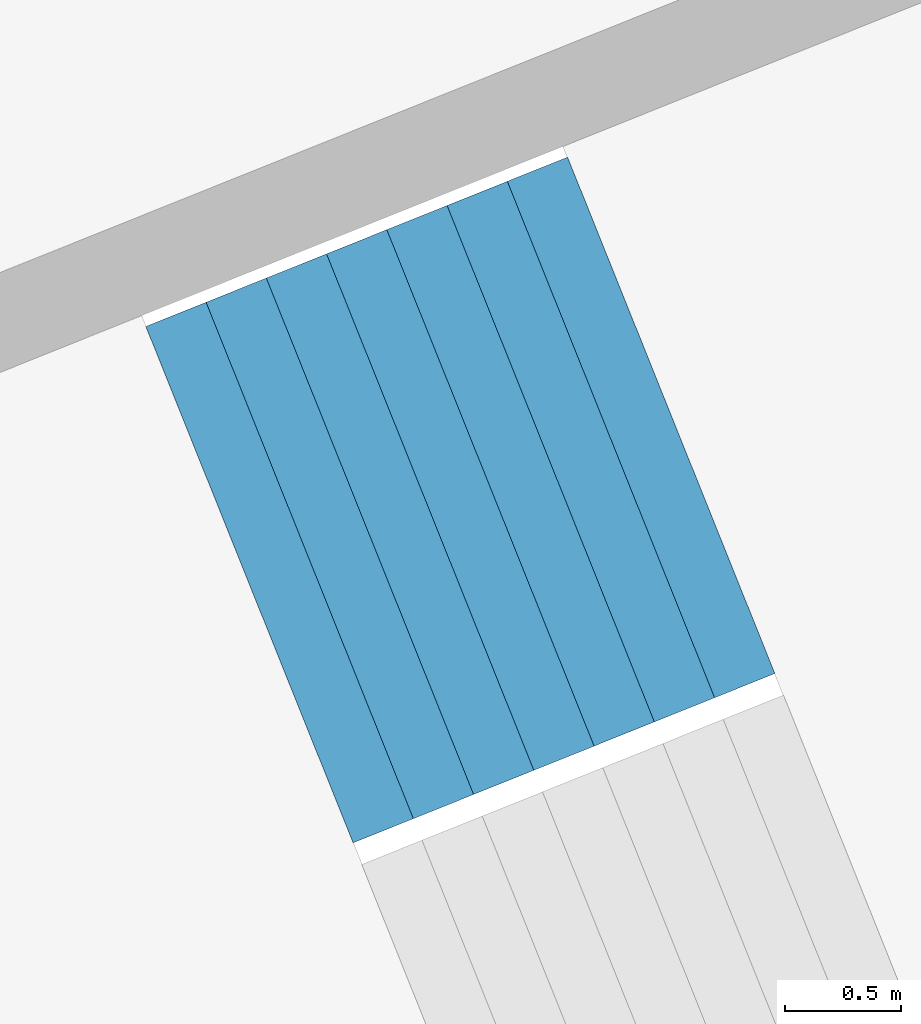
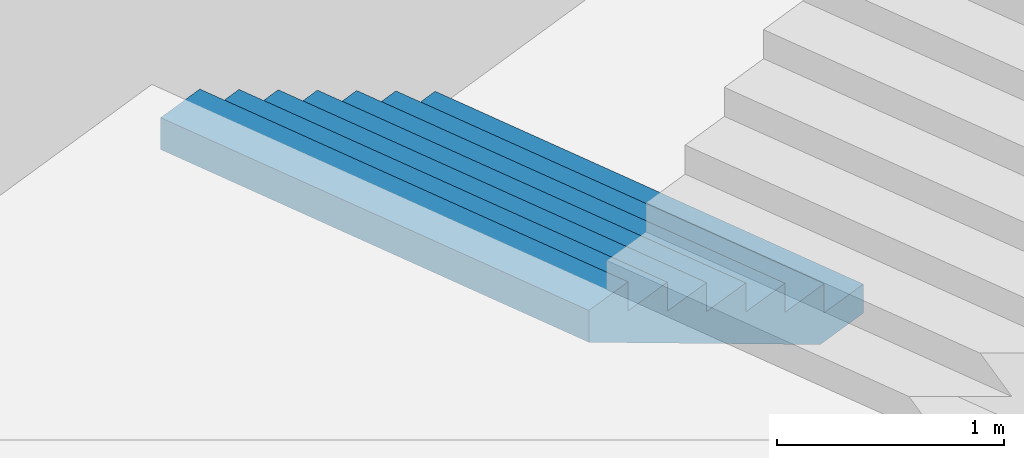
# One storey, part 21 of 73: 1 stair flight, 1 element without a shape of its own.
"""IFC4 building model written with IfcOpenShell, lengths in metres."""

from ifc_helpers import new_model, si_unit, direction, frame, origin, place, context, subcontext, project, spatial, triangles, material, type_object, element, aggregate, save


model = new_model("IFC4")

# Units and contexts
model_context = context("Model", 3, precision=1e-05, world=origin(), true_north=direction((0.0, 1.0)))
body_context = subcontext(model_context, "Body", "Model", "MODEL_VIEW")
ifc_project = project(units=[si_unit("LENGTHUNIT", "METRE"), si_unit("AREAUNIT", "SQUARE_METRE"), si_unit("VOLUMEUNIT", "CUBIC_METRE"), si_unit("PLANEANGLEUNIT", "RADIAN"), si_unit("MASSUNIT", "GRAM", prefix="KILO")], contexts=[model_context])

# Site, building, storey
site_placement = place(None, origin())
site = spatial("IfcSite", under=ifc_project, at=site_placement, CompositionType="ELEMENT")
building_placement = place(site_placement, origin())
building = spatial("IfcBuilding", under=site, at=building_placement, Name="Lantaw Convention Tower", CompositionType="ELEMENT")
storey_placement = place(building_placement, frame((0.0, 0.0, 27.0)))
storey = spatial("IfcBuildingStorey", under=building, at=storey_placement, Name="L04", CompositionType="ELEMENT", Elevation=27.0)

# Stair, stair flight
ifc_material = material(Name="Concrete C35/45", Category="concrete")
stair_type = type_object("IfcStairType", Name="Exit stair 2400 riser 156.25 in 4 flights", PredefinedType="HALF_TURN_STAIR", material=ifc_material)
stair_placement = place(storey_placement, origin())
stair = element("IfcStair", 1, at=stair_placement, inside=storey, type_object=stair_type, Name="Podium exit stair P11 L04", PredefinedType="HALF_TURN_STAIR")
stair_flight_type = type_object("IfcStairFlightType", Name="Stair flight 2400 riser 156.25", PredefinedType="STRAIGHT", material=ifc_material)
stair_flight_placement = place(storey_placement, frame((-30.017578125, -10.703369140625, 0.0), z_axis=(0.0, 0.0, 1.0), x_axis=(-0.928015168305, -0.372542410198, 0.0)))
stair_flight = element("IfcStairFlight", 2, at=stair_flight_placement, type_object=stair_flight_type, Name="P11 flight 1", NumberOfRisers=8, NumberOfTreads=7, PredefinedType="STRAIGHT", RiserHeight=0.15625, TreadLength=0.28, context=body_context, shape_type="Tessellation", body=[
    triangles([(0.0, 1.199951171875, 0.0), (0.0, 1.199951171875, 0.15625), (0.28, 1.199951171875, 0.0), (0.28, 1.199951171875, 0.15625), (0.28, 1.199951171875, 0.3125), (0.3076200632058044, 1.199951171875, 0.0), (0.3076200632058044, 1.199951171875, 0.3125), (0.56, 1.199951171875, 0.14083701830033238), (0.56, 1.199951171875, 0.3125), (0.56, 1.199951171875, 0.46875), (0.8400000000000001, 1.199951171875, 0.29708701830033235), (0.8400000000000001, 1.199951171875, 0.46875), (0.8400000000000001, 1.199951171875, 0.625), (1.12, 1.199951171875, 0.45333701830033235), (1.12, 1.199951171875, 0.625), (1.12, 1.199951171875, 0.78125), (1.4000000000000001, 1.199951171875, 0.6095870183003324), (1.4000000000000001, 1.199951171875, 0.78125), (1.4000000000000001, 1.199951171875, 0.9375), (1.6800000000000002, 1.199951171875, 0.7658370183003324), (1.6800000000000002, 1.199951171875, 0.9375), (1.6800000000000002, 1.199951171875, 1.09375), (1.9600000000000002, 1.199951171875, 0.9220870183003324), (1.9600000000000002, 1.199951171875, 1.09375), (0.0, -1.199951171875, 0.0), (0.0, -1.199951171875, 0.15625), (0.28, -1.199951171875, 0.0), (0.28, -1.199951171875, 0.15625), (0.28, -1.199951171875, 0.3125), (0.3076200632058044, -1.199951171875, 0.0), (0.3076200632058044, -1.199951171875, 0.3125), (0.56, -1.199951171875, 0.14083701830033238), (0.56, -1.199951171875, 0.3125), (0.56, -1.199951171875, 0.46875), (0.8400000000000001, -1.199951171875, 0.29708701830033235), (0.8400000000000001, -1.199951171875, 0.46875), (0.8400000000000001, -1.199951171875, 0.625), (1.12, -1.199951171875, 0.45333701830033235), (1.12, -1.199951171875, 0.625), (1.12, -1.199951171875, 0.78125), (1.4000000000000001, -1.199951171875, 0.6095870183003324), (1.4000000000000001, -1.199951171875, 0.78125), (1.4000000000000001, -1.199951171875, 0.9375), (1.6800000000000002, -1.199951171875, 0.7658370183003324), (1.6800000000000002, -1.199951171875, 0.9375), (1.6800000000000002, -1.199951171875, 1.09375), (1.9600000000000002, -1.199951171875, 0.9220870183003324), (1.9600000000000002, -1.199951171875, 1.09375), (0.0, 0.239990234375, 0.15625), (0.0, 0.239990234375, 0.0), (0.0, 0.1919921875, 0.15625), (0.0, 0.1919921875, 0.0), (0.0, 0.143994140625, 0.15625), (0.0, 0.143994140625, 0.0), (0.0, 0.09599609375, 0.15625), (0.0, 0.09599609375, 0.0), (0.0, 0.047998046875, 0.15625), (0.0, 0.047998046875, 0.0), (0.0, 0.0, 0.15625), (0.0, 0.0, 0.0), (0.0, -0.047998046875, 0.15625), (0.0, -0.047998046875, 0.0), (0.0, -0.09599609375, 0.15625), (0.0, -0.09599609375, 0.0), (0.0, -0.143994140625, 0.15625), (0.0, -0.143994140625, 0.0), (0.0, -0.1919921875, 0.15625), (0.0, -0.1919921875, 0.0), (0.0, -0.239990234375, 0.15625), (0.0, -0.239990234375, 0.0), (0.28, 0.239990234375, 0.3125), (0.28, 0.239990234375, 0.15625), (0.28, 0.1919921875, 0.3125), (0.28, 0.1919921875, 0.15625), (0.28, 0.143994140625, 0.3125), (0.28, 0.143994140625, 0.15625), (0.28, 0.09599609375, 0.3125), (0.28, 0.09599609375, 0.15625), (0.28, 0.047998046875, 0.3125), (0.28, 0.047998046875, 0.15625), (0.28, 0.0, 0.3125), (0.28, 0.0, 0.15625), (0.28, -0.047998046875, 0.3125), (0.28, -0.047998046875, 0.15625), (0.28, -0.09599609375, 0.3125), (0.28, -0.09599609375, 0.15625), (0.28, -0.143994140625, 0.3125), (0.28, -0.143994140625, 0.15625), (0.28, -0.1919921875, 0.3125), (0.28, -0.1919921875, 0.15625), (0.28, -0.239990234375, 0.3125), (0.28, -0.239990234375, 0.15625), (0.56, 0.239990234375, 0.46875), (0.56, 0.239990234375, 0.3125), (0.56, 0.1919921875, 0.46875), (0.56, 0.1919921875, 0.3125), (0.56, 0.143994140625, 0.46875), (0.56, 0.143994140625, 0.3125), (0.56, 0.09599609375, 0.46875), (0.56, 0.09599609375, 0.3125), (0.56, 0.047998046875, 0.46875), (0.56, 0.047998046875, 0.3125), (0.56, 0.0, 0.46875), (0.56, 0.0, 0.3125), (0.56, -0.047998046875, 0.46875), (0.56, -0.047998046875, 0.3125), (0.56, -0.09599609375, 0.46875), (0.56, -0.09599609375, 0.3125), (0.56, -0.143994140625, 0.46875), (0.56, -0.143994140625, 0.3125), (0.56, -0.1919921875, 0.46875), (0.56, -0.1919921875, 0.3125), (0.56, -0.239990234375, 0.46875), (0.56, -0.239990234375, 0.3125), (0.8400000000000001, 0.239990234375, 0.625), (0.8400000000000001, 0.239990234375, 0.46875), (0.8400000000000001, 0.1919921875, 0.625), (0.8400000000000001, 0.1919921875, 0.46875), (0.8400000000000001, 0.143994140625, 0.625), (0.8400000000000001, 0.143994140625, 0.46875), (0.8400000000000001, 0.09599609375, 0.625), (0.8400000000000001, 0.09599609375, 0.46875), (0.8400000000000001, 0.047998046875, 0.625), (0.8400000000000001, 0.047998046875, 0.46875), (0.8400000000000001, 0.0, 0.625), (0.8400000000000001, 0.0, 0.46875), (0.8400000000000001, -0.047998046875, 0.625), (0.8400000000000001, -0.047998046875, 0.46875), (0.8400000000000001, -0.09599609375, 0.625), (0.8400000000000001, -0.09599609375, 0.46875), (0.8400000000000001, -0.143994140625, 0.625), (0.8400000000000001, -0.143994140625, 0.46875), (0.8400000000000001, -0.1919921875, 0.625), (0.8400000000000001, -0.1919921875, 0.46875), (0.8400000000000001, -0.239990234375, 0.625), (0.8400000000000001, -0.239990234375, 0.46875), (1.12, 0.239990234375, 0.78125), (1.12, 0.239990234375, 0.625), (1.12, 0.1919921875, 0.78125), (1.12, 0.1919921875, 0.625), (1.12, 0.143994140625, 0.78125), (1.12, 0.143994140625, 0.625), (1.12, 0.09599609375, 0.78125), (1.12, 0.09599609375, 0.625), (1.12, 0.047998046875, 0.78125), (1.12, 0.047998046875, 0.625), (1.12, 0.0, 0.78125), (1.12, 0.0, 0.625), (1.12, -0.047998046875, 0.78125), (1.12, -0.047998046875, 0.625), (1.12, -0.09599609375, 0.78125), (1.12, -0.09599609375, 0.625), (1.12, -0.143994140625, 0.78125), (1.12, -0.143994140625, 0.625), (1.12, -0.1919921875, 0.78125), (1.12, -0.1919921875, 0.625), (1.12, -0.239990234375, 0.78125), (1.12, -0.239990234375, 0.625), (1.4000000000000001, 0.239990234375, 0.9375), (1.4000000000000001, 0.239990234375, 0.78125), (1.4000000000000001, 0.1919921875, 0.9375), (1.4000000000000001, 0.1919921875, 0.78125), (1.4000000000000001, 0.143994140625, 0.9375), (1.4000000000000001, 0.143994140625, 0.78125), (1.4000000000000001, 0.09599609375, 0.9375), (1.4000000000000001, 0.09599609375, 0.78125), (1.4000000000000001, 0.047998046875, 0.9375), (1.4000000000000001, 0.047998046875, 0.78125), (1.4000000000000001, 0.0, 0.9375), (1.4000000000000001, 0.0, 0.78125), (1.4000000000000001, -0.047998046875, 0.9375), (1.4000000000000001, -0.047998046875, 0.78125), (1.4000000000000001, -0.09599609375, 0.9375), (1.4000000000000001, -0.09599609375, 0.78125), (1.4000000000000001, -0.143994140625, 0.9375), (1.4000000000000001, -0.143994140625, 0.78125), (1.4000000000000001, -0.1919921875, 0.9375), (1.4000000000000001, -0.1919921875, 0.78125), (1.4000000000000001, -0.239990234375, 0.9375), (1.4000000000000001, -0.239990234375, 0.78125), (1.6800000000000002, 0.239990234375, 1.09375), (1.6800000000000002, 0.239990234375, 0.9375), (1.6800000000000002, 0.1919921875, 1.09375), (1.6800000000000002, 0.1919921875, 0.9375), (1.6800000000000002, 0.143994140625, 1.09375), (1.6800000000000002, 0.143994140625, 0.9375), (1.6800000000000002, 0.09599609375, 1.09375), (1.6800000000000002, 0.09599609375, 0.9375), (1.6800000000000002, 0.047998046875, 1.09375), (1.6800000000000002, 0.047998046875, 0.9375), (1.6800000000000002, 0.0, 1.09375), (1.6800000000000002, 0.0, 0.9375), (1.6800000000000002, -0.047998046875, 1.09375), (1.6800000000000002, -0.047998046875, 0.9375), (1.6800000000000002, -0.09599609375, 1.09375), (1.6800000000000002, -0.09599609375, 0.9375), (1.6800000000000002, -0.143994140625, 1.09375), (1.6800000000000002, -0.143994140625, 0.9375), (1.6800000000000002, -0.1919921875, 1.09375), (1.6800000000000002, -0.1919921875, 0.9375), (1.6800000000000002, -0.239990234375, 1.09375), (1.6800000000000002, -0.239990234375, 0.9375), (0.3076200632058044, 0.239990234375, 0.3125), (0.3076200632058044, 0.1919921875, 0.3125), (0.3076200632058044, 0.143994140625, 0.3125), (0.3076200632058044, 0.09599609375, 0.3125), (0.3076200632058044, 0.047998046875, 0.3125), (0.3076200632058044, 0.0, 0.3125), (0.3076200632058044, -0.047998046875, 0.3125), (0.3076200632058044, -0.09599609375, 0.3125), (0.3076200632058044, -0.143994140625, 0.3125), (0.3076200632058044, -0.1919921875, 0.3125), (0.3076200632058044, -0.239990234375, 0.3125), (1.9600000000000002, 0.239990234375, 1.09375), (1.9600000000000002, 0.1919921875, 1.09375), (1.9600000000000002, 0.143994140625, 1.09375), (1.9600000000000002, 0.09599609375, 1.09375), (1.9600000000000002, 0.047998046875, 1.09375), (1.9600000000000002, 0.0, 1.09375), (1.9600000000000002, -0.047998046875, 1.09375), (1.9600000000000002, -0.09599609375, 1.09375), (1.9600000000000002, -0.143994140625, 1.09375), (1.9600000000000002, -0.1919921875, 1.09375), (1.9600000000000002, -0.239990234375, 1.09375), (1.9600000000000002, 0.239990234375, 0.9220870183003324), (1.9600000000000002, 0.1919921875, 0.9220870183003324), (1.9600000000000002, 0.143994140625, 0.9220870183003324), (1.9600000000000002, 0.09599609375, 0.9220870183003324), (1.9600000000000002, 0.047998046875, 0.9220870183003324), (1.9600000000000002, 0.0, 0.9220870183003324), (1.9600000000000002, -0.047998046875, 0.9220870183003324), (1.9600000000000002, -0.09599609375, 0.9220870183003324), (1.9600000000000002, -0.143994140625, 0.9220870183003324), (1.9600000000000002, -0.1919921875, 0.9220870183003324), (1.9600000000000002, -0.239990234375, 0.9220870183003324), (1.6800000000000002, 0.239990234375, 0.7658370183003324), (1.6800000000000002, 0.1919921875, 0.7658370183003324), (1.6800000000000002, 0.143994140625, 0.7658370183003324), (1.6800000000000002, 0.09599609375, 0.7658370183003324), (1.6800000000000002, 0.047998046875, 0.7658370183003324), (1.6800000000000002, 0.0, 0.7658370183003324), (1.6800000000000002, -0.047998046875, 0.7658370183003324), (1.6800000000000002, -0.09599609375, 0.7658370183003324), (1.6800000000000002, -0.143994140625, 0.7658370183003324), (1.6800000000000002, -0.1919921875, 0.7658370183003324), (1.6800000000000002, -0.239990234375, 0.7658370183003324), (1.4000000000000001, 0.239990234375, 0.6095870183003324), (1.4000000000000001, 0.1919921875, 0.6095870183003324), (1.4000000000000001, 0.143994140625, 0.6095870183003324), (1.4000000000000001, 0.09599609375, 0.6095870183003324), (1.4000000000000001, 0.047998046875, 0.6095870183003324), (1.4000000000000001, 0.0, 0.6095870183003324), (1.4000000000000001, -0.047998046875, 0.6095870183003324), (1.4000000000000001, -0.09599609375, 0.6095870183003324), (1.4000000000000001, -0.143994140625, 0.6095870183003324), (1.4000000000000001, -0.1919921875, 0.6095870183003324), (1.4000000000000001, -0.239990234375, 0.6095870183003324), (1.12, 0.239990234375, 0.45333701830033235), (1.12, 0.1919921875, 0.45333701830033235), (1.12, 0.143994140625, 0.45333701830033235), (1.12, 0.09599609375, 0.45333701830033235), (1.12, 0.047998046875, 0.45333701830033235), (1.12, 0.0, 0.45333701830033235), (1.12, -0.047998046875, 0.45333701830033235), (1.12, -0.09599609375, 0.45333701830033235), (1.12, -0.143994140625, 0.45333701830033235), (1.12, -0.1919921875, 0.45333701830033235), (1.12, -0.239990234375, 0.45333701830033235), (0.8400000000000001, 0.239990234375, 0.29708701830033235), (0.8400000000000001, 0.1919921875, 0.29708701830033235), (0.8400000000000001, 0.143994140625, 0.29708701830033235), (0.8400000000000001, 0.09599609375, 0.29708701830033235), (0.8400000000000001, 0.047998046875, 0.29708701830033235), (0.8400000000000001, 0.0, 0.29708701830033235), (0.8400000000000001, -0.047998046875, 0.29708701830033235), (0.8400000000000001, -0.09599609375, 0.29708701830033235), (0.8400000000000001, -0.143994140625, 0.29708701830033235), (0.8400000000000001, -0.1919921875, 0.29708701830033235), (0.8400000000000001, -0.239990234375, 0.29708701830033235), (0.56, 0.239990234375, 0.14083701830033238), (0.56, 0.1919921875, 0.14083701830033238), (0.56, 0.143994140625, 0.14083701830033238), (0.56, 0.09599609375, 0.14083701830033238), (0.56, 0.047998046875, 0.14083701830033238), (0.56, 0.0, 0.14083701830033238), (0.56, -0.047998046875, 0.14083701830033238), (0.56, -0.09599609375, 0.14083701830033238), (0.56, -0.143994140625, 0.14083701830033238), (0.56, -0.1919921875, 0.14083701830033238), (0.56, -0.239990234375, 0.14083701830033238), (0.3076200632058044, 0.239990234375, 0.0), (0.3076200632058044, 0.1919921875, 0.0), (0.3076200632058044, 0.143994140625, 0.0), (0.3076200632058044, 0.09599609375, 0.0), (0.3076200632058044, 0.047998046875, 0.0), (0.3076200632058044, 0.0, 0.0), (0.3076200632058044, -0.047998046875, 0.0), (0.3076200632058044, -0.09599609375, 0.0), (0.3076200632058044, -0.143994140625, 0.0), (0.3076200632058044, -0.1919921875, 0.0), (0.3076200632058044, -0.239990234375, 0.0), (0.28, 0.239990234375, 0.0), (0.28, 0.1919921875, 0.0), (0.28, 0.143994140625, 0.0), (0.28, 0.09599609375, 0.0), (0.28, 0.047998046875, 0.0), (0.28, 0.0, 0.0), (0.28, -0.047998046875, 0.0), (0.28, -0.09599609375, 0.0), (0.28, -0.143994140625, 0.0), (0.28, -0.1919921875, 0.0), (0.28, -0.239990234375, 0.0)], [[1, 4, 3], [1, 2, 4], [3, 4, 6], [4, 7, 6], [4, 5, 7], [6, 9, 8], [6, 7, 9], [8, 9, 11], [9, 12, 11], [9, 10, 12], [11, 12, 14], [12, 15, 14], [12, 13, 15], [14, 15, 17], [15, 18, 17], [15, 16, 18], [17, 18, 20], [18, 21, 20], [18, 19, 21], [20, 21, 23], [21, 24, 23], [21, 22, 24], [25, 27, 28], [25, 28, 26], [27, 30, 28], [28, 30, 31], [28, 31, 29], [30, 32, 33], [30, 33, 31], [32, 35, 33], [33, 35, 36], [33, 36, 34], [35, 38, 36], [36, 38, 39], [36, 39, 37], [38, 41, 39], [39, 41, 42], [39, 42, 40], [41, 44, 42], [42, 44, 45], [42, 45, 43], [44, 47, 45], [45, 47, 48], [45, 48, 46], [1, 49, 2], [1, 50, 49], [50, 51, 49], [50, 52, 51], [52, 53, 51], [52, 54, 53], [54, 55, 53], [54, 56, 55], [56, 57, 55], [56, 58, 57], [58, 59, 57], [58, 60, 59], [60, 61, 59], [60, 62, 61], [62, 63, 61], [62, 64, 63], [64, 65, 63], [64, 66, 65], [66, 67, 65], [66, 68, 67], [68, 69, 67], [68, 70, 69], [70, 26, 69], [70, 25, 26], [4, 71, 5], [4, 72, 71], [72, 73, 71], [72, 74, 73], [74, 75, 73], [74, 76, 75], [76, 77, 75], [76, 78, 77], [78, 79, 77], [78, 80, 79], [80, 81, 79], [80, 82, 81], [82, 83, 81], [82, 84, 83], [84, 85, 83], [84, 86, 85], [86, 87, 85], [86, 88, 87], [88, 89, 87], [88, 90, 89], [90, 91, 89], [90, 92, 91], [92, 29, 91], [92, 28, 29], [9, 93, 10], [9, 94, 93], [94, 95, 93], [94, 96, 95], [96, 97, 95], [96, 98, 97], [98, 99, 97], [98, 100, 99], [100, 101, 99], [100, 102, 101], [102, 103, 101], [102, 104, 103], [104, 105, 103], [104, 106, 105], [106, 107, 105], [106, 108, 107], [108, 109, 107], [108, 110, 109], [110, 111, 109], [110, 112, 111], [112, 113, 111], [112, 114, 113], [114, 34, 113], [114, 33, 34], [12, 115, 13], [12, 116, 115], [116, 117, 115], [116, 118, 117], [118, 119, 117], [118, 120, 119], [120, 121, 119], [120, 122, 121], [122, 123, 121], [122, 124, 123], [124, 125, 123], [124, 126, 125], [126, 127, 125], [126, 128, 127], [128, 129, 127], [128, 130, 129], [130, 131, 129], [130, 132, 131], [132, 133, 131], [132, 134, 133], [134, 135, 133], [134, 136, 135], [136, 37, 135], [136, 36, 37], [15, 137, 16], [15, 138, 137], [138, 139, 137], [138, 140, 139], [140, 141, 139], [140, 142, 141], [142, 143, 141], [142, 144, 143], [144, 145, 143], [144, 146, 145], [146, 147, 145], [146, 148, 147], [148, 149, 147], [148, 150, 149], [150, 151, 149], [150, 152, 151], [152, 153, 151], [152, 154, 153], [154, 155, 153], [154, 156, 155], [156, 157, 155], [156, 158, 157], [158, 40, 157], [158, 39, 40], [18, 159, 19], [18, 160, 159], [160, 161, 159], [160, 162, 161], [162, 163, 161], [162, 164, 163], [164, 165, 163], [164, 166, 165], [166, 167, 165], [166, 168, 167], [168, 169, 167], [168, 170, 169], [170, 171, 169], [170, 172, 171], [172, 173, 171], [172, 174, 173], [174, 175, 173], [174, 176, 175], [176, 177, 175], [176, 178, 177], [178, 179, 177], [178, 180, 179], [180, 43, 179], [180, 42, 43], [21, 181, 22], [21, 182, 181], [182, 183, 181], [182, 184, 183], [184, 185, 183], [184, 186, 185], [186, 187, 185], [186, 188, 187], [188, 189, 187], [188, 190, 189], [190, 191, 189], [190, 192, 191], [192, 193, 191], [192, 194, 193], [194, 195, 193], [194, 196, 195], [196, 197, 195], [196, 198, 197], [198, 199, 197], [198, 200, 199], [200, 201, 199], [200, 202, 201], [202, 46, 201], [202, 45, 46], [2, 72, 4], [2, 49, 72], [49, 74, 72], [49, 51, 74], [51, 76, 74], [51, 53, 76], [53, 78, 76], [53, 55, 78], [55, 80, 78], [55, 57, 80], [57, 82, 80], [57, 59, 82], [59, 84, 82], [59, 61, 84], [61, 86, 84], [61, 63, 86], [63, 88, 86], [63, 65, 88], [65, 90, 88], [65, 67, 90], [67, 92, 90], [67, 69, 92], [69, 28, 92], [69, 26, 28], [5, 203, 7], [5, 71, 203], [71, 204, 203], [71, 73, 204], [73, 205, 204], [73, 75, 205], [75, 206, 205], [75, 77, 206], [77, 207, 206], [77, 79, 207], [79, 208, 207], [79, 81, 208], [81, 209, 208], [81, 83, 209], [83, 210, 209], [83, 85, 210], [85, 211, 210], [85, 87, 211], [87, 212, 211], [87, 89, 212], [89, 213, 212], [89, 91, 213], [91, 31, 213], [91, 29, 31], [7, 94, 9], [7, 203, 94], [203, 96, 94], [203, 204, 96], [204, 98, 96], [204, 205, 98], [205, 100, 98], [205, 206, 100], [206, 102, 100], [206, 207, 102], [207, 104, 102], [207, 208, 104], [208, 106, 104], [208, 209, 106], [209, 108, 106], [209, 210, 108], [210, 110, 108], [210, 211, 110], [211, 112, 110], [211, 212, 112], [212, 114, 112], [212, 213, 114], [213, 33, 114], [213, 31, 33], [10, 116, 12], [10, 93, 116], [93, 118, 116], [93, 95, 118], [95, 120, 118], [95, 97, 120], [97, 122, 120], [97, 99, 122], [99, 124, 122], [99, 101, 124], [101, 126, 124], [101, 103, 126], [103, 128, 126], [103, 105, 128], [105, 130, 128], [105, 107, 130], [107, 132, 130], [107, 109, 132], [109, 134, 132], [109, 111, 134], [111, 136, 134], [111, 113, 136], [113, 36, 136], [113, 34, 36], [13, 138, 15], [13, 115, 138], [115, 140, 138], [115, 117, 140], [117, 142, 140], [117, 119, 142], [119, 144, 142], [119, 121, 144], [121, 146, 144], [121, 123, 146], [123, 148, 146], [123, 125, 148], [125, 150, 148], [125, 127, 150], [127, 152, 150], [127, 129, 152], [129, 154, 152], [129, 131, 154], [131, 156, 154], [131, 133, 156], [133, 158, 156], [133, 135, 158], [135, 39, 158], [135, 37, 39], [16, 160, 18], [16, 137, 160], [137, 162, 160], [137, 139, 162], [139, 164, 162], [139, 141, 164], [141, 166, 164], [141, 143, 166], [143, 168, 166], [143, 145, 168], [145, 170, 168], [145, 147, 170], [147, 172, 170], [147, 149, 172], [149, 174, 172], [149, 151, 174], [151, 176, 174], [151, 153, 176], [153, 178, 176], [153, 155, 178], [155, 180, 178], [155, 157, 180], [157, 42, 180], [157, 40, 42], [19, 182, 21], [19, 159, 182], [159, 184, 182], [159, 161, 184], [161, 186, 184], [161, 163, 186], [163, 188, 186], [163, 165, 188], [165, 190, 188], [165, 167, 190], [167, 192, 190], [167, 169, 192], [169, 194, 192], [169, 171, 194], [171, 196, 194], [171, 173, 196], [173, 198, 196], [173, 175, 198], [175, 200, 198], [175, 177, 200], [177, 202, 200], [177, 179, 202], [179, 45, 202], [179, 43, 45], [22, 214, 24], [22, 181, 214], [181, 215, 214], [181, 183, 215], [183, 216, 215], [183, 185, 216], [185, 217, 216], [185, 187, 217], [187, 218, 217], [187, 189, 218], [189, 219, 218], [189, 191, 219], [191, 220, 219], [191, 193, 220], [193, 221, 220], [193, 195, 221], [195, 222, 221], [195, 197, 222], [197, 223, 222], [197, 199, 223], [199, 224, 223], [199, 201, 224], [201, 48, 224], [201, 46, 48], [24, 225, 23], [24, 214, 225], [214, 226, 225], [214, 215, 226], [215, 227, 226], [215, 216, 227], [216, 228, 227], [216, 217, 228], [217, 229, 228], [217, 218, 229], [218, 230, 229], [218, 219, 230], [219, 231, 230], [219, 220, 231], [220, 232, 231], [220, 221, 232], [221, 233, 232], [221, 222, 233], [222, 234, 233], [222, 223, 234], [223, 235, 234], [223, 224, 235], [224, 47, 235], [224, 48, 47], [23, 236, 20], [23, 225, 236], [225, 237, 236], [225, 226, 237], [226, 238, 237], [226, 227, 238], [227, 239, 238], [227, 228, 239], [228, 240, 239], [228, 229, 240], [229, 241, 240], [229, 230, 241], [230, 242, 241], [230, 231, 242], [231, 243, 242], [231, 232, 243], [232, 244, 243], [232, 233, 244], [233, 245, 244], [233, 234, 245], [234, 246, 245], [234, 235, 246], [235, 44, 246], [235, 47, 44], [20, 247, 17], [20, 236, 247], [236, 248, 247], [236, 237, 248], [237, 249, 248], [237, 238, 249], [238, 250, 249], [238, 239, 250], [239, 251, 250], [239, 240, 251], [240, 252, 251], [240, 241, 252], [241, 253, 252], [241, 242, 253], [242, 254, 253], [242, 243, 254], [243, 255, 254], [243, 244, 255], [244, 256, 255], [244, 245, 256], [245, 257, 256], [245, 246, 257], [246, 41, 257], [246, 44, 41], [17, 258, 14], [17, 247, 258], [247, 259, 258], [247, 248, 259], [248, 260, 259], [248, 249, 260], [249, 261, 260], [249, 250, 261], [250, 262, 261], [250, 251, 262], [251, 263, 262], [251, 252, 263], [252, 264, 263], [252, 253, 264], [253, 265, 264], [253, 254, 265], [254, 266, 265], [254, 255, 266], [255, 267, 266], [255, 256, 267], [256, 268, 267], [256, 257, 268], [257, 38, 268], [257, 41, 38], [14, 269, 11], [14, 258, 269], [258, 270, 269], [258, 259, 270], [259, 271, 270], [259, 260, 271], [260, 272, 271], [260, 261, 272], [261, 273, 272], [261, 262, 273], [262, 274, 273], [262, 263, 274], [263, 275, 274], [263, 264, 275], [264, 276, 275], [264, 265, 276], [265, 277, 276], [265, 266, 277], [266, 278, 277], [266, 267, 278], [267, 279, 278], [267, 268, 279], [268, 35, 279], [268, 38, 35], [11, 280, 8], [11, 269, 280], [269, 281, 280], [269, 270, 281], [270, 282, 281], [270, 271, 282], [271, 283, 282], [271, 272, 283], [272, 284, 283], [272, 273, 284], [273, 285, 284], [273, 274, 285], [274, 286, 285], [274, 275, 286], [275, 287, 286], [275, 276, 287], [276, 288, 287], [276, 277, 288], [277, 289, 288], [277, 278, 289], [278, 290, 289], [278, 279, 290], [279, 32, 290], [279, 35, 32], [8, 291, 6], [8, 280, 291], [280, 292, 291], [280, 281, 292], [281, 293, 292], [281, 282, 293], [282, 294, 293], [282, 283, 294], [283, 295, 294], [283, 284, 295], [284, 296, 295], [284, 285, 296], [285, 297, 296], [285, 286, 297], [286, 298, 297], [286, 287, 298], [287, 299, 298], [287, 288, 299], [288, 300, 299], [288, 289, 300], [289, 301, 300], [289, 290, 301], [290, 30, 301], [290, 32, 30], [6, 302, 3], [6, 291, 302], [291, 303, 302], [291, 292, 303], [292, 304, 303], [292, 293, 304], [293, 305, 304], [293, 294, 305], [294, 306, 305], [294, 295, 306], [295, 307, 306], [295, 296, 307], [296, 308, 307], [296, 297, 308], [297, 309, 308], [297, 298, 309], [298, 310, 309], [298, 299, 310], [299, 311, 310], [299, 300, 311], [300, 312, 311], [300, 301, 312], [301, 27, 312], [301, 30, 27], [3, 50, 1], [3, 302, 50], [302, 52, 50], [302, 303, 52], [303, 54, 52], [303, 304, 54], [304, 56, 54], [304, 305, 56], [305, 58, 56], [305, 306, 58], [306, 60, 58], [306, 307, 60], [307, 62, 60], [307, 308, 62], [308, 64, 62], [308, 309, 64], [309, 66, 64], [309, 310, 66], [310, 68, 66], [310, 311, 68], [311, 70, 68], [311, 312, 70], [312, 25, 70], [312, 27, 25]], closed=True),
])
aggregate(stair, [stair_flight])

save(model, "model.ifc")
